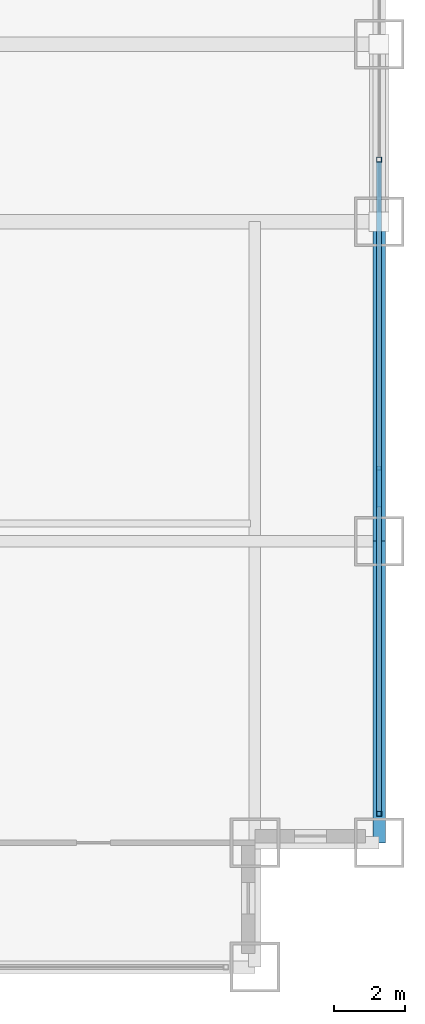
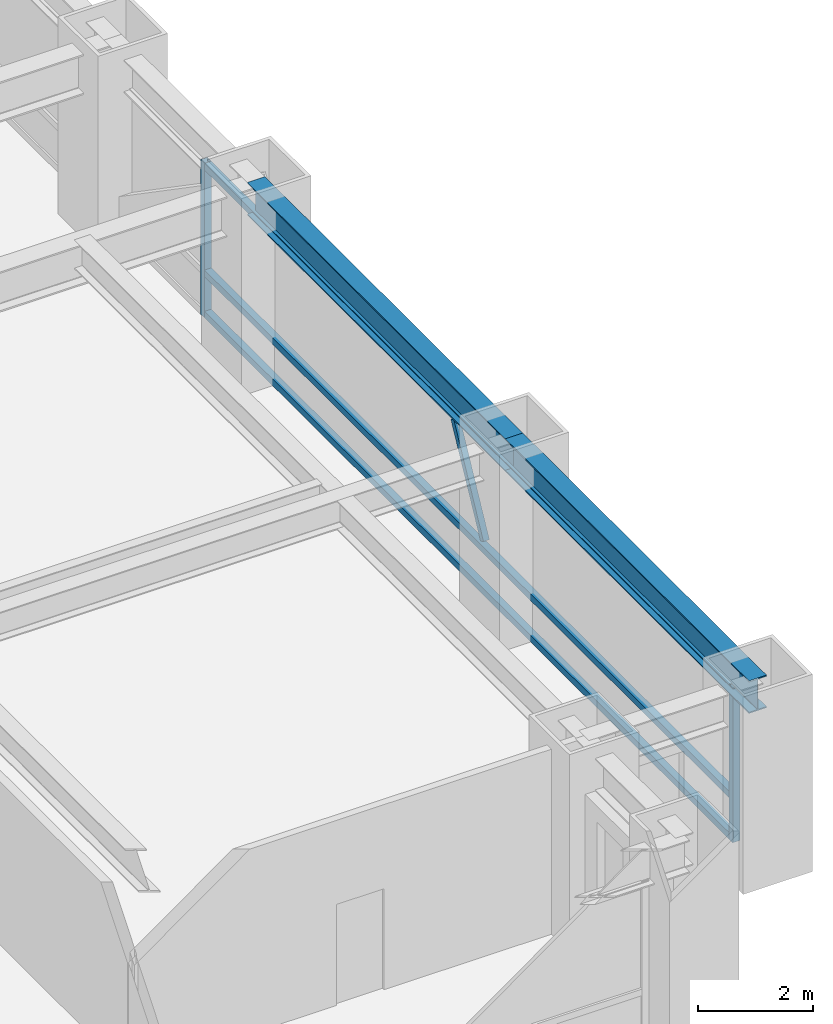
# One storey, part 16 of 27: 6 members, 2 beams, 1 element without a shape of its own.
"""IFC4 building model written with IfcOpenShell, lengths in metres."""

from ifc_helpers import new_model, si_unit, direction, frame, origin, origin_2d, place, context, subcontext, project, spatial, hollow_rectangle, i_section, extrude, source, transform, mapped, material, material_profile, profile_set, type_object, element, aggregate, save


model = new_model("IFC4")

# Units and contexts
model_context = context("Model", 3, precision=1e-05, world=origin(), true_north=direction((0.0, 1.0)))
body_context = subcontext(model_context, "Body", "Model", "MODEL_VIEW")
ifc_project = project(units=[si_unit("LENGTHUNIT", "METRE"), si_unit("AREAUNIT", "SQUARE_METRE"), si_unit("VOLUMEUNIT", "CUBIC_METRE"), si_unit("PLANEANGLEUNIT", "RADIAN"), si_unit("MASSUNIT", "GRAM", prefix="KILO")], contexts=[model_context])

# Site, building, storey
site_placement = place(None, origin())
site = spatial("IfcSite", under=ifc_project, at=site_placement, CompositionType="ELEMENT")
building_placement = place(site_placement, origin())
building = spatial("IfcBuilding", under=site, at=building_placement, Name="Khorayat Bourse Tower", CompositionType="ELEMENT")
storey_placement = place(building_placement, frame((0.0, 0.0, 45.199951171875)))
storey = spatial("IfcBuildingStorey", under=building, at=storey_placement, Name="L09", CompositionType="ELEMENT", Elevation=45.199951171875)

# Beams
ifc_material_1 = material(Name="Steel ASTM A992 Grade 50", Category="steel")
ifc_material_profile_1 = material_profile(ifc_material_1, i_section(OverallWidth=0.35498046875, OverallDepth=0.695068359375, WebThickness=0.015380859375, FlangeThickness=0.02490234375, FilletRadius=0.01806640625, at=origin_2d()), Name="W690X217")
ifc_profile_set_1 = profile_set([ifc_material_profile_1], Name="Steel ASTM A992 Grade 50")
beam_type = type_object("IfcBeamType", Name="BM-SPAN-690", PredefinedType="SPANDREL", material=ifc_profile_set_1)
shared_shape_1 = source(origin(), body_context, "Body", "SweptSolid", [
    extrude(i_section(OverallWidth=0.35498046875, OverallDepth=0.695068359375, WebThickness=0.015380859375, FlangeThickness=0.02490234375, FilletRadius=0.01806640625, at=origin_2d()), origin(), (0.0, 0.0, 1.0), 8.5),
])
beam_1_placement = place(storey_placement, frame((32.0, -28.5, 3.592529296875), z_axis=(0.0, 1.0, 0.0), x_axis=(-1.0, 0.0, 0.0)))
element("IfcBeam", 1, at=beam_1_placement, inside=storey, type_object=beam_type, Name="L09 BM-SPAN-690 BM-L09-SPN-034", PredefinedType="SPANDREL", context=body_context, shape_type="MappedRepresentation", body=[
    mapped(shared_shape_1, transform((0.0, 0.0, 0.0), scale=1.0)),
])
shared_shape_2 = source(origin(), body_context, "Body", "SweptSolid", [
    extrude(i_section(OverallWidth=0.35498046875, OverallDepth=0.695068359375, WebThickness=0.015380859375, FlangeThickness=0.02490234375, FilletRadius=0.01806640625, at=origin_2d()), origin(), (0.0, 0.0, 1.0), 9.0),
])
beam_2_placement = place(storey_placement, frame((32.0, -20.0, 3.592529296875), z_axis=(0.0, 1.0, 0.0), x_axis=(-1.0, 0.0, 0.0)))
element("IfcBeam", 2, at=beam_2_placement, inside=storey, type_object=beam_type, Name="L09 BM-SPAN-690 BM-L09-SPN-035", PredefinedType="SPANDREL", context=body_context, shape_type="MappedRepresentation", body=[
    mapped(shared_shape_2, transform((0.0, 0.0, 0.0), scale=1.0)),
])

# Curtain wall, members
ifc_material_2 = material(Name="Aluminium EN AW-6063 T6", Category="aluminium")
curtain_wall_type = type_object("IfcCurtainWallType", Name="CW-SYS-02", PredefinedType="NOTDEFINED", material=ifc_material_2)
curtain_wall_placement = place(storey_placement, origin())
curtain_wall = element("IfcCurtainWall", 3, at=curtain_wall_placement, inside=storey, type_object=curtain_wall_type, Name="L09 Curtain Wall CW-L09-E1", PredefinedType="NOTDEFINED")
ifc_material_profile_2 = material_profile(ifc_material_2, hollow_rectangle(XDim=0.139892578125, YDim=0.139892578125, WallThickness=0.006103515625, at=origin_2d()), Name="ALU 140x140x6")
ifc_profile_set_2 = profile_set([ifc_material_profile_2], Name="Aluminium EN AW-6063 T6")
member_type_1 = type_object("IfcMemberType", Name="CWT-HORZ-140", PredefinedType="USERDEFINED", material=ifc_profile_set_2)
shared_shape_3 = source(origin(), body_context, "Body", "SweptSolid", [
    extrude(hollow_rectangle(XDim=0.139892578125, YDim=0.139892578125, WallThickness=0.006103515625, at=origin_2d()), origin(), (0.0, 0.0, 1.0), 18.2900390625),
])
member_1_placement = place(storey_placement, frame((32.0, -27.610107421875, 0.070068359375), z_axis=(0.0, 1.0, 0.0), x_axis=(-1.0, 0.0, 0.0)))
member_1 = element("IfcMember", 4, at=member_1_placement, type_object=member_type_1, Name="CW-L09-E1 Horizontal Transom 1-1", ObjectType="TRANSOM", PredefinedType="USERDEFINED", context=body_context, shape_type="MappedRepresentation", body=[
    mapped(shared_shape_3, transform((0.0, 0.0, 0.0), scale=1.0)),
])
member_2_placement = place(storey_placement, frame((32.0, -27.610107421875, 0.949951171875), z_axis=(0.0, 1.0, 0.0), x_axis=(-1.0, 0.0, 0.0)))
member_2 = element("IfcMember", 5, at=member_2_placement, type_object=member_type_1, Name="CW-L09-E1 Horizontal Transom 1-2", ObjectType="TRANSOM", PredefinedType="USERDEFINED", context=body_context, shape_type="MappedRepresentation", body=[
    mapped(shared_shape_3, transform((0.0, 0.0, 0.0), scale=1.0)),
])
member_3_placement = place(storey_placement, frame((32.0, -27.610107421875, 3.219970703125), z_axis=(0.0, 1.0, 0.0), x_axis=(-1.0, 0.0, 0.0)))
member_3 = element("IfcMember", 6, at=member_3_placement, type_object=member_type_1, Name="CW-L09-E1 Horizontal Transom 1-3", ObjectType="TRANSOM", PredefinedType="USERDEFINED", context=body_context, shape_type="MappedRepresentation", body=[
    mapped(shared_shape_3, transform((0.0, 0.0, 0.0), scale=1.0)),
])
ifc_material_profile_3 = material_profile(ifc_material_2, hollow_rectangle(XDim=0.1201171875, YDim=0.1201171875, WallThickness=0.0048828125, at=origin_2d()), Name="ALU 120x120x5")
ifc_profile_set_3 = profile_set([ifc_material_profile_3], Name="Aluminium EN AW-6063 T6")
member_type_2 = type_object("IfcMemberType", Name="CWM-DIAG-120", PredefinedType="MULLION", material=ifc_profile_set_3)
shared_shape_4 = source(origin(), body_context, "Body", "SweptSolid", [
    extrude(hollow_rectangle(XDim=0.1201171875, YDim=0.1201171875, WallThickness=0.0048828125, at=origin_2d()), origin(), (0.0, 0.0, 1.0), 2.22607421875),
])
member_4_placement = place(storey_placement, frame((32.0, -18.9833984375, 1.10009765625), z_axis=(0.0, 0.465759992596, 0.884911085532), x_axis=(-1.0, 0.0, 0.0)))
member_4 = element("IfcMember", 7, at=member_4_placement, type_object=member_type_2, Name="CW-L09-E1 Faceted Diagonal Mullion 1", PredefinedType="MULLION", context=body_context, shape_type="MappedRepresentation", body=[
    mapped(shared_shape_4, transform((0.0, 0.0, 0.0), scale=1.0)),
])
ifc_material_profile_4 = material_profile(ifc_material_2, hollow_rectangle(XDim=0.139892578125, YDim=0.139892578125, WallThickness=0.006103515625, at=origin_2d()), Name="ALU 140x140x6")
ifc_profile_set_4 = profile_set([ifc_material_profile_4], Name="Aluminium EN AW-6063 T6")
member_type_3 = type_object("IfcMemberType", Name="CWM-VERT-140", PredefinedType="MULLION", material=ifc_profile_set_4)
shared_shape_5 = source(origin(), body_context, "Body", "SweptSolid", [
    extrude(hollow_rectangle(XDim=0.139892578125, YDim=0.139892578125, WallThickness=0.006103515625, at=origin_2d()), origin(), (0.0, 0.0, 1.0), 3.2900390625),
])
member_5_placement = place(storey_placement, frame((32.0, -27.679931640625, 0.0), z_axis=(0.0, 0.0, 1.0), x_axis=(-1.0, 0.0, 0.0)))
member_5 = element("IfcMember", 8, at=member_5_placement, type_object=member_type_3, Name="CW-L09-E1 Vertical Mullion 1", PredefinedType="MULLION", context=body_context, shape_type="MappedRepresentation", body=[
    mapped(shared_shape_5, transform((0.0, 0.0, 0.0), scale=1.0)),
])
member_6_placement = place(storey_placement, frame((32.0, -9.25, 0.0), z_axis=(0.0, 0.0, 1.0), x_axis=(-1.0, 0.0, 0.0)))
member_6 = element("IfcMember", 9, at=member_6_placement, type_object=member_type_3, Name="CW-L09-E1 Vertical Mullion 2", PredefinedType="MULLION", context=body_context, shape_type="MappedRepresentation", body=[
    mapped(shared_shape_5, transform((0.0, 0.0, 0.0), scale=1.0)),
])
aggregate(curtain_wall, [member_5, member_6, member_1, member_2, member_3, member_4])

save(model, "model.ifc")
